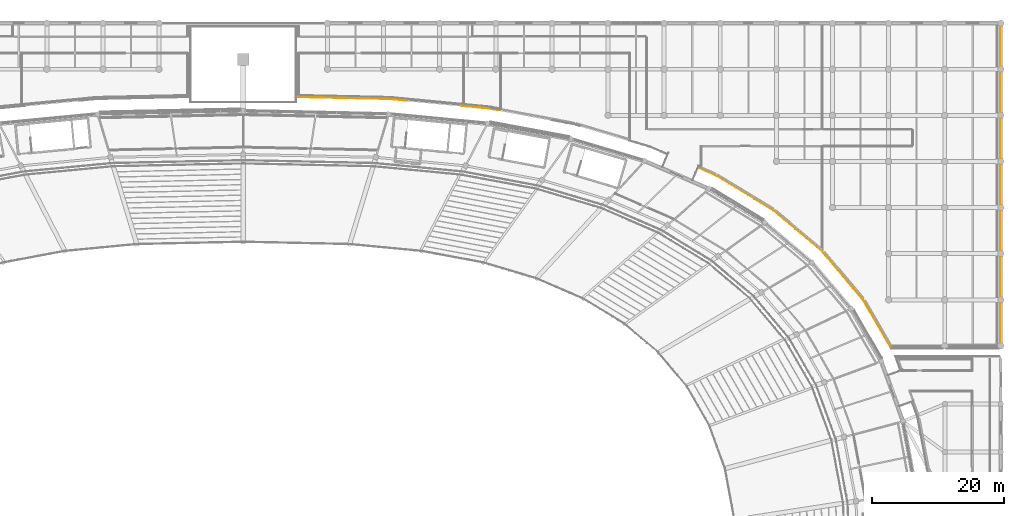
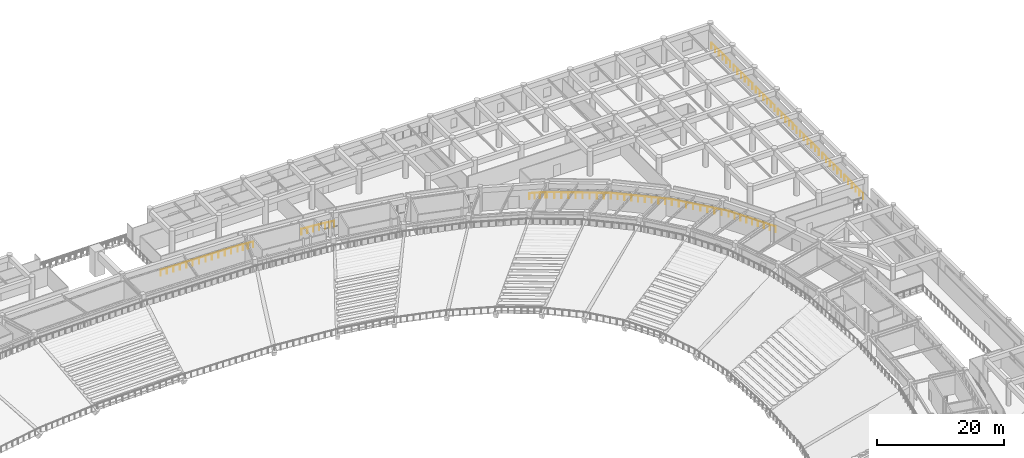
# One storey, part 137 of 137: 10 railings.
"""IFC4 building model written with IfcOpenShell, lengths in metres."""

from ifc_helpers import new_model, si_unit, direction, frame, origin, origin_2d, place, context, subcontext, project, spatial, circle, extrude, material, type_object, element, save


model = new_model("IFC4")

# Units and contexts
model_context = context("Model", 3, precision=1e-05, world=origin(), true_north=direction((0.0, 1.0)))
body_context = subcontext(model_context, "Body", "Model", "MODEL_VIEW")
ifc_project = project(units=[si_unit("LENGTHUNIT", "METRE"), si_unit("AREAUNIT", "SQUARE_METRE"), si_unit("VOLUMEUNIT", "CUBIC_METRE"), si_unit("PLANEANGLEUNIT", "RADIAN"), si_unit("MASSUNIT", "GRAM", prefix="KILO")], contexts=[model_context])

# Site, building, storey
site_placement = place(None, origin())
site = spatial("IfcSite", under=ifc_project, at=site_placement, CompositionType="ELEMENT")
building_placement = place(site_placement, origin())
building = spatial("IfcBuilding", under=site, at=building_placement, Name="Mphavela Belvedere Stadium", CompositionType="ELEMENT")
storey_placement = place(building_placement, frame((0.0, 0.0, 19.199951171875)))
storey = spatial("IfcBuildingStorey", under=building, at=storey_placement, Name="L04", CompositionType="ELEMENT", Elevation=19.199951171875)

# Railings
ifc_material = material(Name="Bronze and laminated glass stadium balustrade", Category="glass")
railing_type = type_object("IfcRailingType", Name="RAL-BALUSTRADE-1120", PredefinedType="BALUSTRADE", material=ifc_material)
railing_1_placement = place(storey_placement, frame((213.392578125, 124.580078125, 0.0)))
element("IfcRailing", 1, at=railing_1_placement, inside=storey, type_object=railing_type, Name="Peristyle wing gallery edge balustrade L04-25", PredefinedType="BALUSTRADE", context=body_context, shape_type="SweptSolid", body=[
    extrude(circle(Radius=0.02392578125, at=origin_2d()), frame((0.0, 0.0, 1.09619140625), z_axis=(-0.501496666229, 0.86515957705, 0.0), x_axis=(-0.86515957705, -0.501496666229, 0.0)), (0.0, 0.0, 1.0), 8.548095703125),
    extrude(circle(Radius=0.02392578125, at=origin_2d()), frame((-4.286865234375, 7.3955078125, 1.09619140625), z_axis=(-0.645159914066, 0.764047567421, 0.0), x_axis=(-0.764047567421, -0.645159914066, 0.0)), (0.0, 0.0, 1.0), 9.544921875),
    extrude(circle(Radius=0.02392578125, at=origin_2d()), frame((-10.44482421875, 14.688232421875, 1.09619140625), z_axis=(-0.764212542959, 0.644964486761, 0.0), x_axis=(-0.644964486761, -0.764212542959, 0.0)), (0.0, 0.0, 1.0), 9.765869140625),
    extrude(circle(Radius=0.02392578125, at=origin_2d()), frame((-17.907958984375, 20.98681640625, 1.09619140625), z_axis=(-0.853987904956, 0.520292858099, 0.0), x_axis=(-0.520292858099, -0.853987904956, 0.0)), (0.0, 0.0, 1.0), 10.074462890625),
    extrude(circle(Radius=0.02392578125, at=origin_2d()), frame((-26.511474609375, 26.228515625, 1.09619140625), z_axis=(-0.887624752967, 0.460567365236, 0.0), x_axis=(-0.460567365236, -0.887624752967, 0.0)), (0.0, 0.0, 1.0), 0.313232421875),
    extrude(circle(Radius=0.02392578125, at=origin_2d()), frame((-26.78955078125, 26.372802734375, 1.09619140625), z_axis=(-0.917490104343, 0.397758605731, 0.0), x_axis=(-0.397758605731, -0.917490104343, 0.0)), (0.0, 0.0, 1.0), 2.5380859375),
    extrude(circle(Radius=0.02099609375, at=origin_2d()), origin(), (0.0, 0.0, 1.0), 1.072021484375),
    extrude(circle(Radius=0.02099609375, at=origin_2d()), frame((-0.535888671875, 0.92431640625, 0.0)), (0.0, 0.0, 1.0), 1.072021484375),
    extrude(circle(Radius=0.02099609375, at=origin_2d()), frame((-1.07177734375, 1.848876953125, 0.0)), (0.0, 0.0, 1.0), 1.072021484375),
    extrude(circle(Radius=0.02099609375, at=origin_2d()), frame((-1.607666015625, 2.7734375, 0.0)), (0.0, 0.0, 1.0), 1.072021484375),
    extrude(circle(Radius=0.02099609375, at=origin_2d()), frame((-2.1435546875, 3.69775390625, 0.0)), (0.0, 0.0, 1.0), 1.072021484375),
    extrude(circle(Radius=0.02099609375, at=origin_2d()), frame((-2.67919921875, 4.6220703125, 0.0)), (0.0, 0.0, 1.0), 1.072021484375),
    extrude(circle(Radius=0.02099609375, at=origin_2d()), frame((-3.215087890625, 5.546630859375, 0.0)), (0.0, 0.0, 1.0), 1.072021484375),
    extrude(circle(Radius=0.02099609375, at=origin_2d()), frame((-3.7509765625, 6.47119140625, 0.0)), (0.0, 0.0, 1.0), 1.072021484375),
    extrude(circle(Radius=0.02099609375, at=origin_2d()), frame((-4.286865234375, 7.3955078125, 0.0)), (0.0, 0.0, 1.0), 1.072021484375),
    extrude(circle(Radius=0.02099609375, at=origin_2d()), frame((-5.056640625, 8.30712890625, 0.0)), (0.0, 0.0, 1.0), 1.072021484375),
    extrude(circle(Radius=0.02099609375, at=origin_2d()), frame((-5.826416015625, 9.21875, 0.0)), (0.0, 0.0, 1.0), 1.072021484375),
    extrude(circle(Radius=0.02099609375, at=origin_2d()), frame((-6.59619140625, 10.13037109375, 0.0)), (0.0, 0.0, 1.0), 1.072021484375),
    extrude(circle(Radius=0.02099609375, at=origin_2d()), frame((-7.36572265625, 11.0419921875, 0.0)), (0.0, 0.0, 1.0), 1.072021484375),
    extrude(circle(Radius=0.02099609375, at=origin_2d()), frame((-8.135498046875, 11.953369140625, 0.0)), (0.0, 0.0, 1.0), 1.072021484375),
    extrude(circle(Radius=0.02099609375, at=origin_2d()), frame((-8.9052734375, 12.864990234375, 0.0)), (0.0, 0.0, 1.0), 1.072021484375),
    extrude(circle(Radius=0.02099609375, at=origin_2d()), frame((-9.675048828125, 13.776611328125, 0.0)), (0.0, 0.0, 1.0), 1.072021484375),
    extrude(circle(Radius=0.02099609375, at=origin_2d()), frame((-10.44482421875, 14.688232421875, 0.0)), (0.0, 0.0, 1.0), 1.072021484375),
    extrude(circle(Radius=0.02099609375, at=origin_2d()), frame((-11.274169921875, 15.38818359375, 0.0)), (0.0, 0.0, 1.0), 1.072021484375),
    extrude(circle(Radius=0.02099609375, at=origin_2d()), frame((-12.103271484375, 16.087890625, 0.0)), (0.0, 0.0, 1.0), 1.072021484375),
    extrude(circle(Radius=0.02099609375, at=origin_2d()), frame((-12.9326171875, 16.787841796875, 0.0)), (0.0, 0.0, 1.0), 1.072021484375),
    extrude(circle(Radius=0.02099609375, at=origin_2d()), frame((-13.76171875, 17.487548828125, 0.0)), (0.0, 0.0, 1.0), 1.072021484375),
    extrude(circle(Radius=0.02099609375, at=origin_2d()), frame((-14.591064453125, 18.1875, 0.0)), (0.0, 0.0, 1.0), 1.072021484375),
    extrude(circle(Radius=0.02099609375, at=origin_2d()), frame((-15.420166015625, 18.88720703125, 0.0)), (0.0, 0.0, 1.0), 1.072021484375),
    extrude(circle(Radius=0.02099609375, at=origin_2d()), frame((-16.24951171875, 19.587158203125, 0.0)), (0.0, 0.0, 1.0), 1.072021484375),
    extrude(circle(Radius=0.02099609375, at=origin_2d()), frame((-17.07861328125, 20.286865234375, 0.0)), (0.0, 0.0, 1.0), 1.072021484375),
    extrude(circle(Radius=0.02099609375, at=origin_2d()), frame((-17.907958984375, 20.98681640625, 0.0)), (0.0, 0.0, 1.0), 1.072021484375),
    extrude(circle(Radius=0.02099609375, at=origin_2d()), frame((-18.864013671875, 21.5693359375, 0.0)), (0.0, 0.0, 1.0), 1.072021484375),
    extrude(circle(Radius=0.02099609375, at=origin_2d()), frame((-19.81982421875, 22.151611328125, 0.0)), (0.0, 0.0, 1.0), 1.072021484375),
    extrude(circle(Radius=0.02099609375, at=origin_2d()), frame((-20.77587890625, 22.734130859375, 0.0)), (0.0, 0.0, 1.0), 1.072021484375),
    extrude(circle(Radius=0.02099609375, at=origin_2d()), frame((-21.731689453125, 23.31640625, 0.0)), (0.0, 0.0, 1.0), 1.072021484375),
    extrude(circle(Radius=0.02099609375, at=origin_2d()), frame((-22.687744140625, 23.89892578125, 0.0)), (0.0, 0.0, 1.0), 1.072021484375),
    extrude(circle(Radius=0.02099609375, at=origin_2d()), frame((-23.6435546875, 24.481201171875, 0.0)), (0.0, 0.0, 1.0), 1.072021484375),
    extrude(circle(Radius=0.02099609375, at=origin_2d()), frame((-24.599609375, 25.063720703125, 0.0)), (0.0, 0.0, 1.0), 1.072021484375),
    extrude(circle(Radius=0.02099609375, at=origin_2d()), frame((-25.555419921875, 25.64599609375, 0.0)), (0.0, 0.0, 1.0), 1.072021484375),
    extrude(circle(Radius=0.02099609375, at=origin_2d()), frame((-26.511474609375, 26.228515625, 0.0)), (0.0, 0.0, 1.0), 1.072021484375),
    extrude(circle(Radius=0.02099609375, at=origin_2d()), frame((-26.78955078125, 26.372802734375, 0.0)), (0.0, 0.0, 1.0), 1.072021484375),
    extrude(circle(Radius=0.02099609375, at=origin_2d()), frame((-27.565673828125, 26.709228515625, 0.0)), (0.0, 0.0, 1.0), 1.072021484375),
    extrude(circle(Radius=0.02099609375, at=origin_2d()), frame((-28.342041015625, 27.0458984375, 0.0)), (0.0, 0.0, 1.0), 1.072021484375),
    extrude(circle(Radius=0.02099609375, at=origin_2d()), frame((-29.1181640625, 27.38232421875, 0.0)), (0.0, 0.0, 1.0), 1.072021484375),
])
railing_2_placement = place(storey_placement, frame((153.787109375, 160.767333984375, 0.0)))
element("IfcRailing", 2, at=railing_2_placement, inside=storey, type_object=railing_type, Name="Peristyle wing gallery edge balustrade L04-28", PredefinedType="BALUSTRADE", context=body_context, shape_type="SweptSolid", body=[
    extrude(circle(Radius=0.02392578125, at=origin_2d()), frame((0.0, 0.0, 1.09619140625), z_axis=(-0.984163739647, 0.177261765658, 0.0), x_axis=(-0.177261765658, -0.984163739647, 0.0)), (0.0, 0.0, 1.0), 1.52197265625),
    extrude(circle(Radius=0.02392578125, at=origin_2d()), frame((-1.497802734375, 0.269775390625, 1.09619140625), z_axis=(-0.995482726016, 0.094942836503, 0.0), x_axis=(-0.094942836503, -0.995482726016, 0.0)), (0.0, 0.0, 1.0), 4.135009765625),
    extrude(circle(Radius=0.02099609375, at=origin_2d()), origin(), (0.0, 0.0, 1.0), 1.072021484375),
    extrude(circle(Radius=0.02099609375, at=origin_2d()), frame((-0.7490234375, 0.134765625, 0.0)), (0.0, 0.0, 1.0), 1.072021484375),
    extrude(circle(Radius=0.02099609375, at=origin_2d()), frame((-1.497802734375, 0.269775390625, 0.0)), (0.0, 0.0, 1.0), 1.072021484375),
    extrude(circle(Radius=0.02099609375, at=origin_2d()), frame((-2.52685546875, 0.367919921875, 0.0)), (0.0, 0.0, 1.0), 1.072021484375),
    extrude(circle(Radius=0.02099609375, at=origin_2d()), frame((-3.555908203125, 0.466064453125, 0.0)), (0.0, 0.0, 1.0), 1.072021484375),
    extrude(circle(Radius=0.02099609375, at=origin_2d()), frame((-4.5849609375, 0.564208984375, 0.0)), (0.0, 0.0, 1.0), 1.072021484375),
    extrude(circle(Radius=0.02099609375, at=origin_2d()), frame((-5.614013671875, 0.662353515625, 0.0)), (0.0, 0.0, 1.0), 1.072021484375),
])
railing_3_placement = place(storey_placement, frame((139.838134765625, 162.224609375, 0.0)))
element("IfcRailing", 3, at=railing_3_placement, inside=storey, type_object=railing_type, Name="Peristyle wing gallery edge balustrade L04-29", PredefinedType="BALUSTRADE", context=body_context, shape_type="SweptSolid", body=[
    extrude(circle(Radius=0.02392578125, at=origin_2d()), frame((0.0, 0.0, 1.09619140625), z_axis=(-0.995701021034, 0.09262546471, 0.0), x_axis=(-0.09262546471, -0.995701021034, 0.0)), (0.0, 0.0, 1.0), 2.685791015625),
    extrude(circle(Radius=0.02392578125, at=origin_2d()), frame((-2.67431640625, 0.248779296875, 1.09619140625), z_axis=(-0.999768449316, 0.021518544383, 0.0), x_axis=(-0.021518544383, -0.999768449316, 0.0)), (0.0, 0.0, 1.0), 13.886962890625),
    extrude(circle(Radius=0.02099609375, at=origin_2d()), origin(), (0.0, 0.0, 1.0), 1.072021484375),
    extrude(circle(Radius=0.02099609375, at=origin_2d()), frame((-0.891357421875, 0.0830078125, 0.0)), (0.0, 0.0, 1.0), 1.072021484375),
    extrude(circle(Radius=0.02099609375, at=origin_2d()), frame((-1.782958984375, 0.165771484375, 0.0)), (0.0, 0.0, 1.0), 1.072021484375),
    extrude(circle(Radius=0.02099609375, at=origin_2d()), frame((-2.67431640625, 0.248779296875, 0.0)), (0.0, 0.0, 1.0), 1.072021484375),
    extrude(circle(Radius=0.02099609375, at=origin_2d()), frame((-3.831298828125, 0.273681640625, 0.0)), (0.0, 0.0, 1.0), 1.072021484375),
    extrude(circle(Radius=0.02099609375, at=origin_2d()), frame((-4.98828125, 0.298583984375, 0.0)), (0.0, 0.0, 1.0), 1.072021484375),
    extrude(circle(Radius=0.02099609375, at=origin_2d()), frame((-6.145263671875, 0.323486328125, 0.0)), (0.0, 0.0, 1.0), 1.072021484375),
    extrude(circle(Radius=0.02099609375, at=origin_2d()), frame((-7.30224609375, 0.348388671875, 0.0)), (0.0, 0.0, 1.0), 1.072021484375),
    extrude(circle(Radius=0.02099609375, at=origin_2d()), frame((-8.459228515625, 0.373291015625, 0.0)), (0.0, 0.0, 1.0), 1.072021484375),
    extrude(circle(Radius=0.02099609375, at=origin_2d()), frame((-9.6162109375, 0.398193359375, 0.0)), (0.0, 0.0, 1.0), 1.072021484375),
    extrude(circle(Radius=0.02099609375, at=origin_2d()), frame((-10.773193359375, 0.423095703125, 0.0)), (0.0, 0.0, 1.0), 1.072021484375),
    extrude(circle(Radius=0.02099609375, at=origin_2d()), frame((-11.93017578125, 0.447998046875, 0.0)), (0.0, 0.0, 1.0), 1.072021484375),
    extrude(circle(Radius=0.02099609375, at=origin_2d()), frame((-13.087158203125, 0.472900390625, 0.0)), (0.0, 0.0, 1.0), 1.072021484375),
    extrude(circle(Radius=0.02099609375, at=origin_2d()), frame((-14.244140625, 0.497802734375, 0.0)), (0.0, 0.0, 1.0), 1.072021484375),
    extrude(circle(Radius=0.02099609375, at=origin_2d()), frame((-15.401123046875, 0.522705078125, 0.0)), (0.0, 0.0, 1.0), 1.072021484375),
    extrude(circle(Radius=0.02099609375, at=origin_2d()), frame((-16.55810546875, 0.547607421875, 0.0)), (0.0, 0.0, 1.0), 1.072021484375),
])
for number, where, name in (
    (4, (229.919921875, 173.45654296875, 0.0), "Peristyle wing gallery edge balustrade L04-45"),
    (5, (229.919921875, 166.45654296875, 0.0), "Peristyle wing gallery edge balustrade L04-46"),
    (6, (229.919921875, 159.45654296875, 0.0), "Peristyle wing gallery edge balustrade L04-47"),
    (7, (229.919921875, 152.45654296875, 0.0), "Peristyle wing gallery edge balustrade L04-48"),
    (8, (229.919921875, 145.45654296875, 0.0), "Peristyle wing gallery edge balustrade L04-49"),
    (9, (229.919921875, 138.45654296875, 0.0), "Peristyle wing gallery edge balustrade L04-50"),
    (10, (229.919921875, 131.45654296875, 0.0), "Peristyle wing gallery edge balustrade L04-51"),
):
    element("IfcRailing", number, at=place(storey_placement, frame(where)), inside=storey, type_object=railing_type, Name=name, PredefinedType="BALUSTRADE", context=body_context, shape_type="SweptSolid", body=[
        extrude(circle(Radius=0.02392578125, at=origin_2d()), frame((0.0, 0.0, 1.09619140625), z_axis=(0.0, -1.0, 0.0), x_axis=(1.0, 0.0, 0.0)), (0.0, 0.0, 1.0), 5.9130859375),
        extrude(circle(Radius=0.02099609375, at=origin_2d()), origin(), (0.0, 0.0, 1.0), 1.072021484375),
        extrude(circle(Radius=0.02099609375, at=origin_2d()), frame((0.0, -1.1826171875, 0.0)), (0.0, 0.0, 1.0), 1.072021484375),
        extrude(circle(Radius=0.02099609375, at=origin_2d()), frame((0.0, -2.365234375, 0.0)), (0.0, 0.0, 1.0), 1.072021484375),
        extrude(circle(Radius=0.02099609375, at=origin_2d()), frame((0.0, -3.5478515625, 0.0)), (0.0, 0.0, 1.0), 1.072021484375),
        extrude(circle(Radius=0.02099609375, at=origin_2d()), frame((0.0, -4.73046875, 0.0)), (0.0, 0.0, 1.0), 1.072021484375),
        extrude(circle(Radius=0.02099609375, at=origin_2d()), frame((0.0, -5.9130859375, 0.0)), (0.0, 0.0, 1.0), 1.072021484375),
    ])

save(model, "model.ifc")
